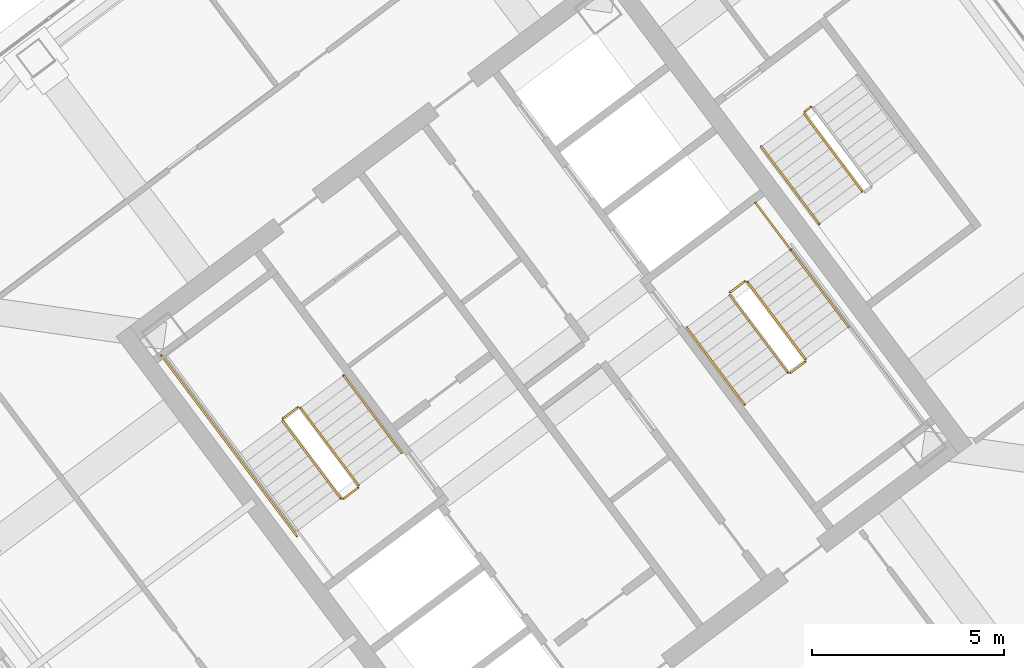
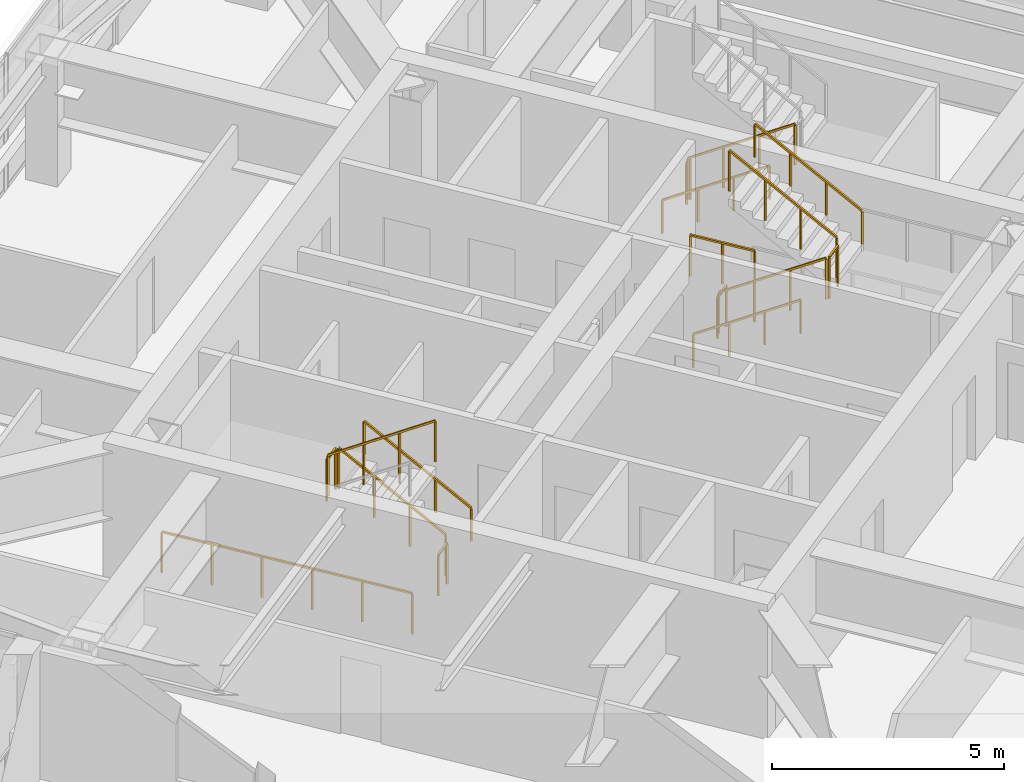
# One storey, part 38 of 40: 16 railings.
"""IFC4 building model written with IfcOpenShell, lengths in metres."""

from ifc_helpers import new_model, si_unit, direction, frame, origin, origin_2d, place, context, subcontext, project, spatial, rectangle, extrude, material, type_object, element, save


model = new_model("IFC4")

# Units and contexts
model_context = context("Model", 3, precision=1e-05, world=origin(), true_north=direction((0.0, 1.0)))
body_context = subcontext(model_context, "Body", "Model", "MODEL_VIEW")
ifc_project = project(units=[si_unit("LENGTHUNIT", "METRE"), si_unit("AREAUNIT", "SQUARE_METRE"), si_unit("VOLUMEUNIT", "CUBIC_METRE"), si_unit("PLANEANGLEUNIT", "RADIAN"), si_unit("MASSUNIT", "GRAM", prefix="KILO")], contexts=[model_context])

# Site, building, storey
site_placement = place(None, origin())
site = spatial("IfcSite", under=ifc_project, at=site_placement, CompositionType="ELEMENT")
building_placement = place(site_placement, origin())
building = spatial("IfcBuilding", under=site, at=building_placement, Name="Tashvorn Skyway Center", CompositionType="ELEMENT")
storey_placement = place(building_placement, frame((0.0, 0.0, 229.050048828125)))
storey = spatial("IfcBuildingStorey", under=building, at=storey_placement, Name="L62", CompositionType="ELEMENT", Elevation=229.050048828125)

# Railings
ifc_material_1 = material(Name="Brushed stainless steel 316", Category="steel")
railing_type_1 = type_object("IfcRailingType", Name="RAIL-HAND-920", PredefinedType="HANDRAIL", material=ifc_material_1)
railing_1_placement = place(storey_placement, frame((110.2880859375, 30.365966796875, 0.177490234375)))
element("IfcRailing", 1, at=railing_1_placement, inside=storey, type_object=railing_type_1, Name="L62 ST-T2-1 stair handrail 1", PredefinedType="HANDRAIL", context=body_context, shape_type="SweptSolid", body=[
    extrude(rectangle(XDim=0.048095703125, YDim=0.048095703125, at=origin_2d()), frame((0.0, 0.0, 0.8759765625), z_axis=(-0.506801609611, 0.675680931896, 0.535357270211), x_axis=(-0.799976749893, -0.600030998891, 0.0)), (0.0, 0.0, 1.0), 2.98388671875),
    extrude(rectangle(XDim=0.0419921875, YDim=0.0419921875, at=origin_2d()), origin(), (0.0, 0.0, 1.0), 0.851806640625),
    extrude(rectangle(XDim=0.0419921875, YDim=0.0419921875, at=origin_2d()), frame((-0.504150390625, 0.672119140625, 0.532470703125)), (0.0, 0.0, 1.0), 0.851806640625),
    extrude(rectangle(XDim=0.0419921875, YDim=0.0419921875, at=origin_2d()), frame((-1.008056640625, 1.343994140625, 1.06494140625)), (0.0, 0.0, 1.0), 0.851806640625),
    extrude(rectangle(XDim=0.0419921875, YDim=0.0419921875, at=origin_2d()), frame((-1.51220703125, 2.01611328125, 1.597412109375)), (0.0, 0.0, 1.0), 0.851806640625),
])
railing_2_placement = place(storey_placement, frame((117.7119140625, 33.634033203125, 0.177490234375)))
element("IfcRailing", 2, at=railing_2_placement, inside=storey, type_object=railing_type_1, Name="L62 ST-T2-2 stair handrail 1", PredefinedType="HANDRAIL", context=body_context, shape_type="SweptSolid", body=[
    extrude(rectangle(XDim=0.048095703125, YDim=0.048095703125, at=origin_2d()), frame((0.0, 0.0, 0.8759765625), z_axis=(0.506801609611, -0.675680931896, 0.535357270211), x_axis=(0.799976749893, 0.600030998891, 0.0)), (0.0, 0.0, 1.0), 2.98388671875),
    extrude(rectangle(XDim=0.0419921875, YDim=0.0419921875, at=origin_2d()), origin(), (0.0, 0.0, 1.0), 0.851806640625),
    extrude(rectangle(XDim=0.0419921875, YDim=0.0419921875, at=origin_2d()), frame((0.504150390625, -0.672119140625, 0.532470703125)), (0.0, 0.0, 1.0), 0.851806640625),
    extrude(rectangle(XDim=0.0419921875, YDim=0.0419921875, at=origin_2d()), frame((1.008056640625, -1.343994140625, 1.06494140625)), (0.0, 0.0, 1.0), 0.851806640625),
    extrude(rectangle(XDim=0.0419921875, YDim=0.0419921875, at=origin_2d()), frame((1.51220703125, -2.01611328125, 1.597412109375)), (0.0, 0.0, 1.0), 0.851806640625),
])
railing_3_placement = place(storey_placement, frame((121.927978515625, 33.64599609375, 1.952392578125)))
element("IfcRailing", 3, at=railing_3_placement, inside=storey, type_object=railing_type_1, Name="L62 ST-T2-2 stair handrail 2", PredefinedType="HANDRAIL", context=body_context, shape_type="SweptSolid", body=[
    extrude(rectangle(XDim=0.048095703125, YDim=0.048095703125, at=origin_2d()), frame((0.0, 0.0, 0.8759765625), z_axis=(-0.506718600913, 0.675679348675, 0.535437836974), x_axis=(-0.800023250257, -0.599968998406, 0.0)), (0.0, 0.0, 1.0), 2.98388671875),
    extrude(rectangle(XDim=0.0419921875, YDim=0.0419921875, at=origin_2d()), origin(), (0.0, 0.0, 1.0), 0.851806640625),
    extrude(rectangle(XDim=0.0419921875, YDim=0.0419921875, at=origin_2d()), frame((-0.50390625, 0.672119140625, 0.532470703125)), (0.0, 0.0, 1.0), 0.851806640625),
    extrude(rectangle(XDim=0.0419921875, YDim=0.0419921875, at=origin_2d()), frame((-1.008056640625, 1.343994140625, 1.065185546875)), (0.0, 0.0, 1.0), 0.851806640625),
    extrude(rectangle(XDim=0.0419921875, YDim=0.0419921875, at=origin_2d()), frame((-1.511962890625, 2.01611328125, 1.59765625)), (0.0, 0.0, 1.0), 0.851806640625),
])
railing_4_placement = place(storey_placement, frame((119.656005859375, 38.342041015625, 0.177490234375)))
element("IfcRailing", 4, at=railing_4_placement, inside=storey, type_object=railing_type_1, Name="L62 ST-T2-3 stair handrail 1", PredefinedType="HANDRAIL", context=body_context, shape_type="SweptSolid", body=[
    extrude(rectangle(XDim=0.048095703125, YDim=0.048095703125, at=origin_2d()), frame((0.0, 0.0, 0.8759765625), z_axis=(0.506740800098, -0.675708949977, 0.535379469569), x_axis=(0.800023250257, 0.599968998406, 0.0)), (0.0, 0.0, 1.0), 2.983642578125),
    extrude(rectangle(XDim=0.0419921875, YDim=0.0419921875, at=origin_2d()), origin(), (0.0, 0.0, 1.0), 0.851806640625),
    extrude(rectangle(XDim=0.0419921875, YDim=0.0419921875, at=origin_2d()), frame((0.50390625, -0.672119140625, 0.532470703125)), (0.0, 0.0, 1.0), 0.851806640625),
    extrude(rectangle(XDim=0.0419921875, YDim=0.0419921875, at=origin_2d()), frame((1.008056640625, -1.343994140625, 1.06494140625)), (0.0, 0.0, 1.0), 0.851806640625),
    extrude(rectangle(XDim=0.0419921875, YDim=0.0419921875, at=origin_2d()), frame((1.511962890625, -2.01611328125, 1.597412109375)), (0.0, 0.0, 1.0), 0.851806640625),
])
ifc_material_2 = material(Name="Painted galvanized steel S355", Category="steel")
railing_type_2 = type_object("IfcRailingType", Name="RAIL-STGUARD-1100", PredefinedType="GUARDRAIL", material=ifc_material_2)
railing_5_placement = place(storey_placement, frame((109.16796875, 29.52587890625, 0.177490234375)))
element("IfcRailing", 5, at=railing_5_placement, inside=storey, type_object=railing_type_2, Name="L62 ST-T2-1 stair guard 1", PredefinedType="GUARDRAIL", context=body_context, shape_type="SweptSolid", body=[
    extrude(rectangle(XDim=0.048095703125, YDim=0.048095703125, at=origin_2d()), frame((0.0, 0.0, 1.076171875), z_axis=(-0.506740800098, 0.675708949977, 0.535379469569), x_axis=(-0.800023250257, -0.599968998406, 0.0)), (0.0, 0.0, 1.0), 2.983642578125),
    extrude(rectangle(XDim=0.0419921875, YDim=0.0419921875, at=origin_2d()), origin(), (0.0, 0.0, 1.0), 1.052001953125),
    extrude(rectangle(XDim=0.0419921875, YDim=0.0419921875, at=origin_2d()), frame((-0.50390625, 0.672119140625, 0.532470703125)), (0.0, 0.0, 1.0), 1.052001953125),
    extrude(rectangle(XDim=0.0419921875, YDim=0.0419921875, at=origin_2d()), frame((-1.008056640625, 1.343994140625, 1.06494140625)), (0.0, 0.0, 1.0), 1.052001953125),
    extrude(rectangle(XDim=0.0419921875, YDim=0.0419921875, at=origin_2d()), frame((-1.511962890625, 2.01611328125, 1.597412109375)), (0.0, 0.0, 1.0), 1.052001953125),
])
railing_6_placement = place(storey_placement, frame((107.5859375, 31.552001953125, 1.77490234375)))
element("IfcRailing", 6, at=railing_6_placement, inside=storey, type_object=railing_type_2, Name="L62 ST-T2-1 stair guard 2", PredefinedType="GUARDRAIL", context=body_context, shape_type="SweptSolid", body=[
    extrude(rectangle(XDim=0.048095703125, YDim=0.048095703125, at=origin_2d()), frame((0.0, 0.0, 1.076171875), z_axis=(-0.799938970639, -0.600081363861, 0.0), x_axis=(0.600081363861, -0.799938970639, 0.0)), (0.0, 0.0, 1.0), 0.47998046875),
    extrude(rectangle(XDim=0.0419921875, YDim=0.0419921875, at=origin_2d()), origin(), (0.0, 0.0, 1.0), 1.052001953125),
    extrude(rectangle(XDim=0.0419921875, YDim=0.0419921875, at=origin_2d()), frame((-0.384033203125, -0.2880859375, 0.0)), (0.0, 0.0, 1.0), 1.052001953125),
])
railing_7_placement = place(storey_placement, frame((107.19189453125, 31.194091796875, 1.952392578125)))
element("IfcRailing", 7, at=railing_7_placement, inside=storey, type_object=railing_type_2, Name="L62 ST-T2-1 stair guard 4", PredefinedType="GUARDRAIL", context=body_context, shape_type="SweptSolid", body=[
    extrude(rectangle(XDim=0.048095703125, YDim=0.048095703125, at=origin_2d()), frame((0.0, 0.0, 1.076171875), z_axis=(0.506779409603, -0.675651334276, 0.53541563714), x_axis=(0.799976749893, 0.600030998891, 0.0)), (0.0, 0.0, 1.0), 2.98388671875),
    extrude(rectangle(XDim=0.0419921875, YDim=0.0419921875, at=origin_2d()), origin(), (0.0, 0.0, 1.0), 1.052001953125),
    extrude(rectangle(XDim=0.0419921875, YDim=0.0419921875, at=origin_2d()), frame((0.504150390625, -0.672119140625, 0.532470703125)), (0.0, 0.0, 1.0), 1.052001953125),
    extrude(rectangle(XDim=0.0419921875, YDim=0.0419921875, at=origin_2d()), frame((1.008056640625, -1.343994140625, 1.065185546875)), (0.0, 0.0, 1.0), 1.052001953125),
    extrude(rectangle(XDim=0.0419921875, YDim=0.0419921875, at=origin_2d()), frame((1.51220703125, -2.01611328125, 1.59765625)), (0.0, 0.0, 1.0), 1.052001953125),
])
railing_8_placement = place(storey_placement, frame((109.157958984375, 29.4560546875, 0.0)))
element("IfcRailing", 8, at=railing_8_placement, inside=storey, type_object=railing_type_2, Name="L62 ST-T2-1 stair guard 5", PredefinedType="GUARDRAIL", context=body_context, shape_type="SweptSolid", body=[
    extrude(rectangle(XDim=0.048095703125, YDim=0.048095703125, at=origin_2d()), frame((0.0, 0.0, 1.076171875), z_axis=(-0.799938970639, -0.600081363861, 0.0), x_axis=(0.600081363861, -0.799938970639, 0.0)), (0.0, 0.0, 1.0), 0.47998046875),
    extrude(rectangle(XDim=0.0419921875, YDim=0.0419921875, at=origin_2d()), origin(), (0.0, 0.0, 1.0), 1.052001953125),
    extrude(rectangle(XDim=0.0419921875, YDim=0.0419921875, at=origin_2d()), frame((-0.384033203125, -0.2880859375, 0.0)), (0.0, 0.0, 1.0), 1.052001953125),
])
railing_9_placement = place(storey_placement, frame((107.56396484375, 28.197998046875, 0.0)))
element("IfcRailing", 9, at=railing_9_placement, inside=storey, type_object=railing_type_2, Name="L62 ST-T2-1 stair guard 7", PredefinedType="GUARDRAIL", context=body_context, shape_type="SweptSolid", body=[
    extrude(rectangle(XDim=0.048095703125, YDim=0.048095703125, at=origin_2d()), frame((0.0, 0.0, 1.076171875), z_axis=(-0.6, 0.8, 0.0), x_axis=(-0.8, -0.6, 0.0)), (0.0, 0.0, 1.0), 5.880126953125),
    extrude(rectangle(XDim=0.0419921875, YDim=0.0419921875, at=origin_2d()), origin(), (0.0, 0.0, 1.0), 1.052001953125),
    extrude(rectangle(XDim=0.0419921875, YDim=0.0419921875, at=origin_2d()), frame((-0.70556640625, 0.94091796875, 0.0)), (0.0, 0.0, 1.0), 1.052001953125),
    extrude(rectangle(XDim=0.0419921875, YDim=0.0419921875, at=origin_2d()), frame((-1.4111328125, 1.881591796875, 0.0)), (0.0, 0.0, 1.0), 1.052001953125),
    extrude(rectangle(XDim=0.0419921875, YDim=0.0419921875, at=origin_2d()), frame((-2.116943359375, 2.822509765625, 0.0)), (0.0, 0.0, 1.0), 1.052001953125),
    extrude(rectangle(XDim=0.0419921875, YDim=0.0419921875, at=origin_2d()), frame((-2.822509765625, 3.76318359375, 0.0)), (0.0, 0.0, 1.0), 1.052001953125),
    extrude(rectangle(XDim=0.0419921875, YDim=0.0419921875, at=origin_2d()), frame((-3.528076171875, 4.7041015625, 0.0)), (0.0, 0.0, 1.0), 1.052001953125),
])
railing_10_placement = place(storey_placement, frame((118.83203125, 34.47412109375, 0.177490234375)))
element("IfcRailing", 10, at=railing_10_placement, inside=storey, type_object=railing_type_2, Name="L62 ST-T2-2 stair guard 1", PredefinedType="GUARDRAIL", context=body_context, shape_type="SweptSolid", body=[
    extrude(rectangle(XDim=0.048095703125, YDim=0.048095703125, at=origin_2d()), frame((0.0, 0.0, 1.076171875), z_axis=(0.506740800098, -0.675708949977, 0.535379469569), x_axis=(0.800023250257, 0.599968998406, 0.0)), (0.0, 0.0, 1.0), 2.983642578125),
    extrude(rectangle(XDim=0.0419921875, YDim=0.0419921875, at=origin_2d()), origin(), (0.0, 0.0, 1.0), 1.052001953125),
    extrude(rectangle(XDim=0.0419921875, YDim=0.0419921875, at=origin_2d()), frame((0.50390625, -0.672119140625, 0.532470703125)), (0.0, 0.0, 1.0), 1.052001953125),
    extrude(rectangle(XDim=0.0419921875, YDim=0.0419921875, at=origin_2d()), frame((1.008056640625, -1.343994140625, 1.06494140625)), (0.0, 0.0, 1.0), 1.052001953125),
    extrude(rectangle(XDim=0.0419921875, YDim=0.0419921875, at=origin_2d()), frame((1.511962890625, -2.01611328125, 1.597412109375)), (0.0, 0.0, 1.0), 1.052001953125),
])
railing_11_placement = place(storey_placement, frame((120.4140625, 32.447998046875, 1.77490234375)))
element("IfcRailing", 11, at=railing_11_placement, inside=storey, type_object=railing_type_2, Name="L62 ST-T2-2 stair guard 2", PredefinedType="GUARDRAIL", context=body_context, shape_type="SweptSolid", body=[
    extrude(rectangle(XDim=0.048095703125, YDim=0.048095703125, at=origin_2d()), frame((0.0, 0.0, 1.076171875), z_axis=(0.799938970639, 0.600081363861, 0.0), x_axis=(-0.600081363861, 0.799938970639, 0.0)), (0.0, 0.0, 1.0), 0.47998046875),
    extrude(rectangle(XDim=0.0419921875, YDim=0.0419921875, at=origin_2d()), origin(), (0.0, 0.0, 1.0), 1.052001953125),
    extrude(rectangle(XDim=0.0419921875, YDim=0.0419921875, at=origin_2d()), frame((0.384033203125, 0.2880859375, 0.0)), (0.0, 0.0, 1.0), 1.052001953125),
])
railing_12_placement = place(storey_placement, frame((120.80810546875, 32.805908203125, 1.952392578125)))
element("IfcRailing", 12, at=railing_12_placement, inside=storey, type_object=railing_type_2, Name="L62 ST-T2-2 stair guard 4", PredefinedType="GUARDRAIL", context=body_context, shape_type="SweptSolid", body=[
    extrude(rectangle(XDim=0.048095703125, YDim=0.048095703125, at=origin_2d()), frame((0.0, 0.0, 1.076171875), z_axis=(-0.506779409603, 0.675651334276, 0.53541563714), x_axis=(-0.799976749893, -0.600030998891, 0.0)), (0.0, 0.0, 1.0), 2.98388671875),
    extrude(rectangle(XDim=0.0419921875, YDim=0.0419921875, at=origin_2d()), origin(), (0.0, 0.0, 1.0), 1.052001953125),
    extrude(rectangle(XDim=0.0419921875, YDim=0.0419921875, at=origin_2d()), frame((-0.504150390625, 0.672119140625, 0.532470703125)), (0.0, 0.0, 1.0), 1.052001953125),
    extrude(rectangle(XDim=0.0419921875, YDim=0.0419921875, at=origin_2d()), frame((-1.008056640625, 1.343994140625, 1.065185546875)), (0.0, 0.0, 1.0), 1.052001953125),
    extrude(rectangle(XDim=0.0419921875, YDim=0.0419921875, at=origin_2d()), frame((-1.51220703125, 2.01611328125, 1.59765625)), (0.0, 0.0, 1.0), 1.052001953125),
])
railing_13_placement = place(storey_placement, frame((118.842041015625, 34.5439453125, 0.0)))
element("IfcRailing", 13, at=railing_13_placement, inside=storey, type_object=railing_type_2, Name="L62 ST-T2-2 stair guard 5", PredefinedType="GUARDRAIL", context=body_context, shape_type="SweptSolid", body=[
    extrude(rectangle(XDim=0.048095703125, YDim=0.048095703125, at=origin_2d()), frame((0.0, 0.0, 1.076171875), z_axis=(0.799938970639, 0.600081363861, 0.0), x_axis=(-0.600081363861, 0.799938970639, 0.0)), (0.0, 0.0, 1.0), 0.47998046875),
    extrude(rectangle(XDim=0.0419921875, YDim=0.0419921875, at=origin_2d()), origin(), (0.0, 0.0, 1.0), 1.052001953125),
    extrude(rectangle(XDim=0.0419921875, YDim=0.0419921875, at=origin_2d()), frame((0.384033203125, 0.2880859375, 0.0)), (0.0, 0.0, 1.0), 1.052001953125),
])
railing_14_placement = place(storey_placement, frame((119.50390625, 36.8779296875, 0.0)))
element("IfcRailing", 14, at=railing_14_placement, inside=storey, type_object=railing_type_2, Name="L62 ST-T2-2 stair guard 6", PredefinedType="GUARDRAIL", context=body_context, shape_type="SweptSolid", body=[
    extrude(rectangle(XDim=0.048095703125, YDim=0.048095703125, at=origin_2d()), frame((0.0, 0.0, 1.076171875), z_axis=(0.600102796382, -0.799922892393, 0.0), x_axis=(0.799922892393, 0.600102796382, 0.0)), (0.0, 0.0, 1.0), 1.52001953125),
    extrude(rectangle(XDim=0.0419921875, YDim=0.0419921875, at=origin_2d()), origin(), (0.0, 0.0, 1.0), 1.052001953125),
    extrude(rectangle(XDim=0.0419921875, YDim=0.0419921875, at=origin_2d()), frame((0.4560546875, -0.60791015625, 0.0)), (0.0, 0.0, 1.0), 1.052001953125),
    extrude(rectangle(XDim=0.0419921875, YDim=0.0419921875, at=origin_2d()), frame((0.912109375, -1.2158203125, 0.0)), (0.0, 0.0, 1.0), 1.052001953125),
])
railing_15_placement = place(storey_placement, frame((120.77587890625, 39.181884765625, 0.177490234375)))
element("IfcRailing", 15, at=railing_15_placement, inside=storey, type_object=railing_type_2, Name="L62 ST-T2-3 stair guard 1", PredefinedType="GUARDRAIL", context=body_context, shape_type="SweptSolid", body=[
    extrude(rectangle(XDim=0.048095703125, YDim=0.048095703125, at=origin_2d()), frame((0.0, 0.0, 1.076171875), z_axis=(0.506829628838, -0.67563646195, 0.535386868177), x_axis=(0.799941867976, 0.600077501544, 0.0)), (0.0, 0.0, 1.0), 2.983642578125),
    extrude(rectangle(XDim=0.0419921875, YDim=0.0419921875, at=origin_2d()), origin(), (0.0, 0.0, 1.0), 1.052001953125),
    extrude(rectangle(XDim=0.0419921875, YDim=0.0419921875, at=origin_2d()), frame((0.504150390625, -0.671875, 0.532470703125)), (0.0, 0.0, 1.0), 1.052001953125),
    extrude(rectangle(XDim=0.0419921875, YDim=0.0419921875, at=origin_2d()), frame((1.008056640625, -1.343994140625, 1.06494140625)), (0.0, 0.0, 1.0), 1.052001953125),
    extrude(rectangle(XDim=0.0419921875, YDim=0.0419921875, at=origin_2d()), frame((1.51220703125, -2.015869140625, 1.597412109375)), (0.0, 0.0, 1.0), 1.052001953125),
])
railing_16_placement = place(storey_placement, frame((120.785888671875, 39.251953125, 0.0)))
element("IfcRailing", 16, at=railing_16_placement, inside=storey, type_object=railing_type_2, Name="L62 ST-T2-3 stair guard 4", PredefinedType="GUARDRAIL", context=body_context, shape_type="SweptSolid", body=[
    extrude(rectangle(XDim=0.048095703125, YDim=0.048095703125, at=origin_2d()), frame((0.0, 0.0, 1.076171875), z_axis=(0.8, 0.6, 0.0), x_axis=(-0.6, 0.8, 0.0)), (0.0, 0.0, 1.0), 0.2001953125),
    extrude(rectangle(XDim=0.0419921875, YDim=0.0419921875, at=origin_2d()), origin(), (0.0, 0.0, 1.0), 1.052001953125),
    extrude(rectangle(XDim=0.0419921875, YDim=0.0419921875, at=origin_2d()), frame((0.16015625, 0.1201171875, 0.0)), (0.0, 0.0, 1.0), 1.052001953125),
])

save(model, "model.ifc")
